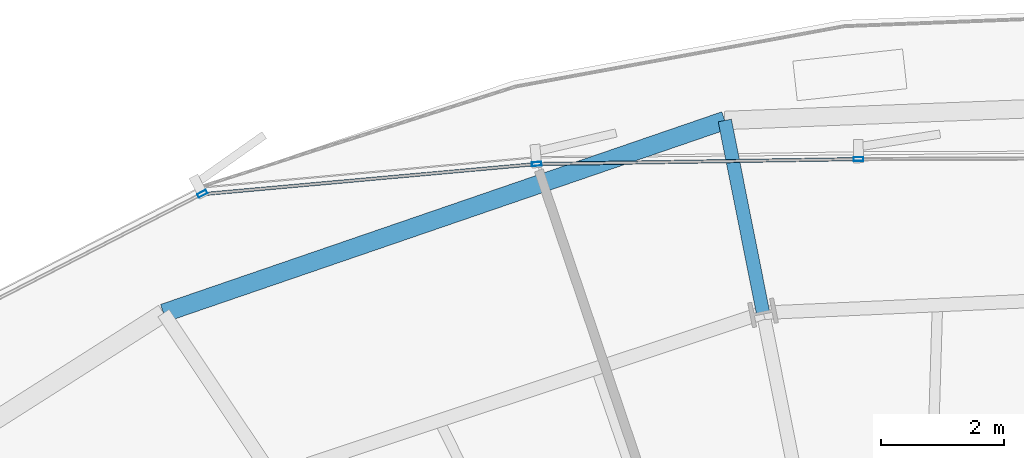
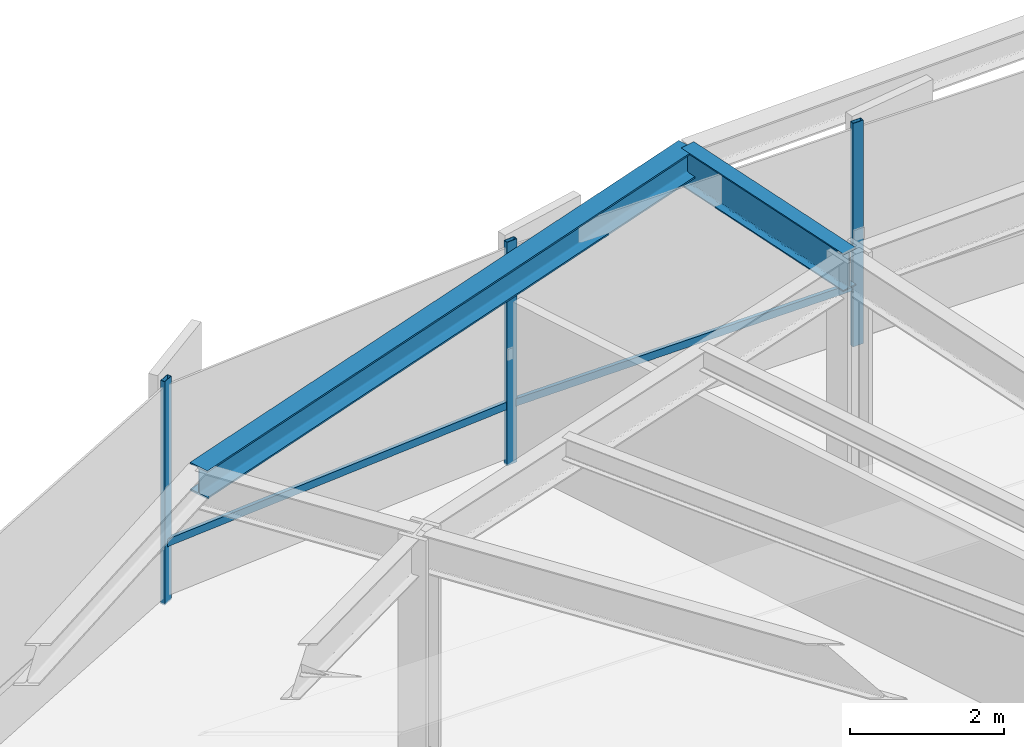
# One storey, part 21 of 37: 5 members, 2 beams, 1 element without a shape of its own.
"""IFC4 building model written with IfcOpenShell, lengths in metres."""

import ifcopenshell
import ifcopenshell.guid

model = None  # the IFC model being written
_history = None  # IfcOwnerHistory: only IFC2X3 demands one
_inside = {}  # id of a spatial element -> (the spatial element, [elements in it])
_under = {}  # id of a project, library or spatial element -> (it, [spatial elements below it])
_declared = {}  # id of a project -> (the project, [libraries it declares])
_typed = {}  # id of a type object -> (the type object, [elements of that type])
_made_of = {}  # id of a material, layer set ... -> (it, [elements and type objects made of it])


def new_model(schema):
    """Start an empty IFC model of exactly this schema.

    Asked for "IFC4X3", IfcOpenShell would pick the latest addendum, in which some entities
    have other attributes; the version numbers below select the first issue.
    IFC2X3 requires an IfcOwnerHistory on every rooted entity: one is made here for all.
    """
    global model, _history
    if schema == "IFC4X3":
        model = ifcopenshell.file(schema_version=(4, 3, 0, 0))
    else:
        model = ifcopenshell.file(schema=schema)
    _inside.clear()
    _under.clear()
    _declared.clear()
    _typed.clear()
    _made_of.clear()
    _history = None
    if model.schema == "IFC2X3":
        org = make("IfcOrganization", Name="unknown")
        user = make(
            "IfcPersonAndOrganization",
            ThePerson=make("IfcPerson", FamilyName="unknown"),
            TheOrganization=org,
        )
        app = make(
            "IfcApplication",
            ApplicationDeveloper=org,
            Version="unknown",
            ApplicationFullName="unknown",
            ApplicationIdentifier="unknown",
        )
        _history = make(
            "IfcOwnerHistory",
            OwningUser=user,
            OwningApplication=app,
            ChangeAction="ADDED",
            CreationDate=0,
        )
    return model


def make(cls, **values):
    """One entity of the class cls with the attributes given. An attribute that is None is left unset."""
    return model.create_entity(
        cls, **{name: value for name, value in values.items() if value is not None}
    )


def rooted(cls, **values):
    """An entity with a GlobalId (a new one), such as an element, a storey or a relation."""
    return make(cls, GlobalId=ifcopenshell.guid.new(), OwnerHistory=_history, **values)


def si_unit(unit_type, name, prefix=None):
    """IfcSIUnit, for example si_unit("LENGTHUNIT", "METRE", prefix="MILLI")."""
    return make("IfcSIUnit", UnitType=unit_type, Prefix=prefix, Name=name)


def assignment(units):
    """IfcUnitAssignment: the units of a project."""
    return None if units is None else make("IfcUnitAssignment", Units=units)


def point(xyz):
    """IfcCartesianPoint."""
    return None if xyz is None else make("IfcCartesianPoint", Coordinates=xyz)


def direction(xyz):
    """IfcDirection."""
    return None if xyz is None else make("IfcDirection", DirectionRatios=xyz)


def frame(location, z_axis=None, x_axis=None):
    """IfcAxis2Placement3D, a coordinate frame: its origin and axes. An axis left out is left unset."""
    return make(
        "IfcAxis2Placement3D",
        Location=point(location),
        Axis=direction(z_axis),
        RefDirection=direction(x_axis),
    )


def frame_2d(location, x_axis=None):
    """IfcAxis2Placement2D, a coordinate frame in the plane: its origin and x axis."""
    return make(
        "IfcAxis2Placement2D", Location=point(location), RefDirection=direction(x_axis)
    )


def origin():
    """The frame at (0, 0, 0) with its axes left unset."""
    return frame((0.0, 0.0, 0.0))


def origin_2d():
    """The frame at (0, 0) in the plane with its x axis left unset."""
    return frame_2d((0.0, 0.0))


def place(relative_to, where):
    """IfcLocalPlacement: puts the frame where relative to a parent placement (None: the world)."""
    return make(
        "IfcLocalPlacement", PlacementRelTo=relative_to, RelativePlacement=where
    )


def context(
    kind, dimensions, precision=None, world=None, true_north=None, identifier=None
):
    """IfcGeometricRepresentationContext, for example the 3D "Model" context."""
    return make(
        "IfcGeometricRepresentationContext",
        ContextIdentifier=identifier,
        ContextType=kind,
        CoordinateSpaceDimension=dimensions,
        Precision=precision,
        WorldCoordinateSystem=world,
        TrueNorth=true_north,
    )


def subcontext(parent, identifier, kind, view, scale=None):
    """IfcGeometricRepresentationSubContext, for example "Body" below "Model"."""
    return make(
        "IfcGeometricRepresentationSubContext",
        ContextIdentifier=identifier,
        ContextType=kind,
        ParentContext=parent,
        TargetScale=scale,
        TargetView=view,
    )


def project(units=None, contexts=None):
    """IfcProject with its units and contexts."""
    return rooted(
        "IfcProject",
        Name="project",
        RepresentationContexts=contexts,
        UnitsInContext=assignment(units),
    )


def spatial(cls, under=None, at=None, **own):
    """A site, building, storey or space (cls), placed at a placement, below another one or the project."""
    s = rooted(cls, ObjectPlacement=at, **own)
    if under is not None:
        _under.setdefault(under.id(), (under, []))[1].append(s)
    return s


def profile(cls, at=None, kind="AREA", **sizes):
    """A parametric profile (cls). Its sizes go by their IFC names, for example OverallWidth=200.0."""
    return make(cls, ProfileType=kind, Position=at, **sizes)


def hollow_rectangle(**sizes):
    """IfcRectangleHollowProfileDef."""
    return profile("IfcRectangleHollowProfileDef", **sizes)


def i_section(**sizes):
    """IfcIShapeProfileDef."""
    return profile("IfcIShapeProfileDef", **sizes)


def extrude(swept, where, along, depth):
    """IfcExtrudedAreaSolid: the profile swept, set in the frame where, extruded along a direction by depth."""
    return make(
        "IfcExtrudedAreaSolid",
        SweptArea=swept,
        Position=where,
        ExtrudedDirection=direction(along),
        Depth=depth,
    )


def shape(context_of_items, identifier, shape_type, items):
    """IfcShapeRepresentation: the items that make up one representation, for example the "Body"."""
    return make(
        "IfcShapeRepresentation",
        ContextOfItems=context_of_items,
        RepresentationIdentifier=identifier,
        RepresentationType=shape_type,
        Items=items,
    )


def source(mapping_origin, context_of_items, identifier, shape_type, items):
    """IfcRepresentationMap: a shape defined once, which mapped items show again and again."""
    return make(
        "IfcRepresentationMap",
        MappingOrigin=mapping_origin,
        MappedRepresentation=shape(context_of_items, identifier, shape_type, items),
    )


def transform(
    local_origin,
    x_axis=None,
    y_axis=None,
    z_axis=None,
    scale=None,
    scale2=None,
    scale3=None,
    uniform=True,
):
    """IfcCartesianTransformationOperator3D, or its non-uniform kind. x_axis, y_axis, z_axis: its Axis1, 2, 3."""
    if uniform:
        return make(
            "IfcCartesianTransformationOperator3D",
            Axis1=direction(x_axis),
            Axis2=direction(y_axis),
            LocalOrigin=point(local_origin),
            Scale=scale,
            Axis3=direction(z_axis),
        )
    return make(
        "IfcCartesianTransformationOperator3DnonUniform",
        Axis1=direction(x_axis),
        Axis2=direction(y_axis),
        LocalOrigin=point(local_origin),
        Scale=scale,
        Axis3=direction(z_axis),
        Scale2=scale2,
        Scale3=scale3,
    )


def mapped(mapping_source, mapping_target):
    """IfcMappedItem: shows the shape of a source again, moved by a transform."""
    return make(
        "IfcMappedItem", MappingSource=mapping_source, MappingTarget=mapping_target
    )


def material(Name=None, Category=None):
    """IfcMaterial."""
    return make("IfcMaterial", Name=Name, Category=Category)


def layer(
    of_material, thickness, ventilated=None, Name=None, Category=None, Priority=None
):
    """IfcMaterialLayer: one layer of a wall or slab, of a material (None: an air gap)."""
    return make(
        "IfcMaterialLayer",
        Material=of_material,
        LayerThickness=thickness,
        IsVentilated=ventilated,
        Name=Name,
        Category=Category,
        Priority=Priority,
    )


def layer_set(layers, Name=None):
    """IfcMaterialLayerSet."""
    return make("IfcMaterialLayerSet", MaterialLayers=layers, LayerSetName=Name)


def material_profile(
    of_material, cross_section, Name=None, Category=None, Priority=None
):
    """IfcMaterialProfile: a cross section and its material."""
    return make(
        "IfcMaterialProfile",
        Name=Name,
        Material=of_material,
        Profile=cross_section,
        Priority=Priority,
        Category=Category,
    )


def profile_set(profiles, Name=None, composite=None):
    """IfcMaterialProfileSet."""
    return make(
        "IfcMaterialProfileSet",
        Name=Name,
        MaterialProfiles=profiles,
        CompositeProfile=composite,
    )


def made_of(thing, what):
    """Note that an element or type object is made of a material, layer set ...; save() writes the relation."""
    if what is not None:
        _made_of.setdefault(what.id(), (what, []))[1].append(thing)
    return thing


def type_object(cls, material=None, **own):
    """A type object (cls), such as IfcWallType, which elements share."""
    return made_of(rooted(cls, **own), material)


def element(
    cls,
    number,
    at=None,
    inside=None,
    cuts=None,
    type_object=None,
    material=None,
    context=None,
    identifier="Body",
    shape_type=None,
    held_by="IfcProductDefinitionShape",
    body=None,
    shapes=None,
    **own,
):
    """One element of the class cls, such as IfcWall. Its Tag is "e" and its number.

    at: its placement. inside: the storey or other place that contains it. cuts: it is an
    opening in that element (IfcRelVoidsElement). A single representation is given by context,
    identifier, shape_type and body (its items); several are given by shapes. held_by: the class
    of the entity that holds the representations. save() writes the other relations.
    """
    e = rooted(cls, Tag="e%d" % number, ObjectPlacement=at, **own)
    if body is not None:
        shapes = [shape(context, identifier, shape_type, body)]
    if shapes is not None:
        e.Representation = make(held_by, Representations=shapes)
    if inside is not None:
        _inside.setdefault(inside.id(), (inside, []))[1].append(e)
    if cuts is not None:
        rooted(
            "IfcRelVoidsElement", RelatingBuildingElement=cuts, RelatedOpeningElement=e
        )
    if type_object is not None:
        _typed.setdefault(type_object.id(), (type_object, []))[1].append(e)
    return made_of(e, material)


def aggregate(whole, parts):
    """IfcRelAggregates: a whole, such as a stair, and the parts it consists of."""
    return rooted("IfcRelAggregates", RelatingObject=whole, RelatedObjects=parts)


def save(model, path):
    """Write the relations noted so far, then the file.

    IfcRelAggregates (storeys below a building ...), IfcRelContainedInSpatialStructure (elements
    in a storey), IfcRelDefinesByType, IfcRelAssociatesMaterial and IfcRelDeclares: one each for
    every whole, place, type object, material and project.
    """
    for whole, parts in _under.values():
        aggregate(whole, parts)
    for where, things in _inside.values():
        rooted(
            "IfcRelContainedInSpatialStructure",
            RelatedElements=things,
            RelatingStructure=where,
        )
    for kind, things in _typed.values():
        rooted("IfcRelDefinesByType", RelatedObjects=things, RelatingType=kind)
    for what, things in _made_of.values():
        rooted("IfcRelAssociatesMaterial", RelatedObjects=things, RelatingMaterial=what)
    for by, libraries in _declared.values():
        rooted("IfcRelDeclares", RelatingContext=by, RelatedDefinitions=libraries)
    model.write(path)


model = new_model("IFC4")

# Units and contexts
model_context = context("Model", 3, precision=1e-05, world=origin(), true_north=direction((0.0, 1.0)))
body_context = subcontext(model_context, "Body", "Model", "MODEL_VIEW")
ifc_project = project(units=[si_unit("LENGTHUNIT", "METRE"), si_unit("AREAUNIT", "SQUARE_METRE"), si_unit("VOLUMEUNIT", "CUBIC_METRE"), si_unit("PLANEANGLEUNIT", "RADIAN"), si_unit("MASSUNIT", "GRAM", prefix="KILO"), si_unit("THERMODYNAMICTEMPERATUREUNIT", "KELVIN")], contexts=[model_context])

# Site, building, storey
site_placement = place(None, origin())
site = spatial("IfcSite", under=ifc_project, at=site_placement, CompositionType="ELEMENT")
building_placement = place(site_placement, origin())
building = spatial("IfcBuilding", under=site, at=building_placement, Name="Kethvar Cultural Tower", CompositionType="ELEMENT")
storey_placement = place(building_placement, frame((0.0, 0.0, 56.199951171875)))
storey = spatial("IfcBuildingStorey", under=building, at=storey_placement, Name="L13", CompositionType="ELEMENT", Elevation=56.199951171875)

# Beams
ifc_material_1 = material(Name="Steel S355J2", Category="steel")
ifc_material_profile_1 = material_profile(ifc_material_1, i_section(OverallWidth=0.219970703125, OverallDepth=0.60009765625, WebThickness=0.011962890625, FlangeThickness=0.01904296875, FilletRadius=0.02392578125, at=origin_2d()), Name="Steel S355J2 — IPE600")
ifc_profile_set_1 = profile_set([ifc_material_profile_1], Name="Steel S355J2 — IPE600")
beam_type_1 = type_object("IfcBeamType", Name="BM-IPE600", PredefinedType="BEAM", material=ifc_profile_set_1)
shared_shape_1 = source(origin(), body_context, "Body", "SweptSolid", [
    extrude(i_section(OverallWidth=0.219970703125, OverallDepth=0.60009765625, WebThickness=0.011962890625, FlangeThickness=0.01904296875, FilletRadius=0.02392578125, at=origin_2d()), origin(), (0.0, 0.0, 1.0), 3.199951171875),
])
beam_1_placement = place(storey_placement, frame((42.651611328125, 48.65576171875, 3.248046875), z_axis=(-0.195162356126, 0.980770949178, 0.0), x_axis=(-0.980770949178, -0.195162356126, 0.0)))
element("IfcBeam", 1, at=beam_1_placement, inside=storey, type_object=beam_type_1, Name="L13 Perimeter Cantilever Beam RC-05", PredefinedType="BEAM", context=body_context, shape_type="MappedRepresentation", body=[
    mapped(shared_shape_1, transform((0.0, 0.0, 0.0), scale=1.0)),
])
ifc_material_profile_2 = material_profile(ifc_material_1, i_section(OverallWidth=0.300048828125, OverallDepth=0.449951171875, WebThickness=0.013916015625, FlangeThickness=0.02587890625, FilletRadius=0.027099609375, at=origin_2d()), Name="Steel S355J2 — HEB450")
ifc_profile_set_2 = profile_set([ifc_material_profile_2], Name="Steel S355J2 — HEB450")
beam_type_2 = type_object("IfcBeamType", Name="BM-SP450", PredefinedType="SPANDREL", material=ifc_profile_set_2)
shared_shape_2 = source(origin(), body_context, "Body", "SweptSolid", [
    extrude(i_section(OverallWidth=0.300048828125, OverallDepth=0.449951171875, WebThickness=0.013916015625, FlangeThickness=0.02587890625, FilletRadius=0.027099609375, at=origin_2d()), origin(), (0.0, 0.0, 1.0), 9.683349609375),
])
beam_2_placement = place(storey_placement, frame((42.027099609375, 51.794189453125, 3.322998046875), z_axis=(-0.945832074112, -0.324656260652, 0.0), x_axis=(0.324656260652, -0.945832074112, 0.0)))
element("IfcBeam", 2, at=beam_2_placement, inside=storey, type_object=beam_type_2, Name="L13 Perimeter Spandrel Beam SP-05", PredefinedType="SPANDREL", context=body_context, shape_type="MappedRepresentation", body=[
    mapped(shared_shape_2, transform((0.0, 0.0, 0.0), scale=1.0)),
])

# Curtain wall, members
ifc_material_2 = material(Name="Aluminium 6063-T6", Category="aluminium")
ifc_layer = layer(ifc_material_2, 0.179931640625, Name="Aluminium 6063-T6", Category="aluminium")
ifc_layer_set = layer_set([ifc_layer], Name="Aluminium 6063-T6 (180 mm)")
curtain_wall_type = type_object("IfcCurtainWallType", Name="CW-SYS-02-Z1", PredefinedType="NOTDEFINED", material=ifc_layer_set)
curtain_wall_placement = place(storey_placement, origin())
curtain_wall = element("IfcCurtainWall", 3, at=curtain_wall_placement, inside=storey, type_object=curtain_wall_type, Name="L13 Curtain Wall Run 03", PredefinedType="NOTDEFINED")
ifc_material_profile_3 = material_profile(ifc_material_2, hollow_rectangle(XDim=0.06494140625, YDim=0.159912109375, WallThickness=0.0048828125, at=origin_2d()), Name="Aluminium 6063-T6 — RHS160x65x5")
ifc_profile_set_3 = profile_set([ifc_material_profile_3], Name="Aluminium 6063-T6 — RHS160x65x5")
member_type_1 = type_object("IfcMemberType", Name="CW-SYS-02-Z1-MUL", PredefinedType="MULLION", material=ifc_profile_set_3)
shared_shape_3 = source(origin(), body_context, "Body", "SweptSolid", [
    extrude(hollow_rectangle(XDim=0.06494140625, YDim=0.159912109375, WallThickness=0.0048828125, at=origin_2d()), origin(), (0.0, 0.0, 1.0), 3.550048828125),
])
member_1_placement = place(storey_placement, frame((44.209228515625, 51.163818359375, 0.0), z_axis=(0.0, 0.0, 1.0), x_axis=(0.015305939852, -0.999882857241, 0.0)))
member_1 = element("IfcMember", 4, at=member_1_placement, type_object=member_type_1, Name="CW-L13-R03 Mullion 2", PredefinedType="MULLION", context=body_context, shape_type="MappedRepresentation", body=[
    mapped(shared_shape_3, transform((0.0, 0.0, 0.0), scale=1.0)),
])
member_2_placement = place(storey_placement, frame((38.95703125, 51.083984375, 0.0), z_axis=(0.0, 0.0, 1.0), x_axis=(0.090024212165, -0.995939577095, 0.0)))
member_2 = element("IfcMember", 5, at=member_2_placement, type_object=member_type_1, Name="CW-L13-R03 Mullion 3", PredefinedType="MULLION", context=body_context, shape_type="MappedRepresentation", body=[
    mapped(shared_shape_3, transform((0.0, 0.0, 0.0), scale=1.0)),
])
member_3_placement = place(storey_placement, frame((33.501220703125, 50.599609375, 0.0), z_axis=(0.0, 0.0, 1.0), x_axis=(0.457408364087, -0.889256761832, 0.0)))
member_3 = element("IfcMember", 6, at=member_3_placement, type_object=member_type_1, Name="CW-L13-R03 Mullion 4", PredefinedType="MULLION", context=body_context, shape_type="MappedRepresentation", body=[
    mapped(shared_shape_3, transform((0.0, 0.0, 0.0), scale=1.0)),
])
ifc_material_profile_4 = material_profile(ifc_material_2, hollow_rectangle(XDim=0.054931640625, YDim=0.1201171875, WallThickness=0.00390625, at=origin_2d()), Name="Aluminium 6063-T6 — RHS120x55x4")
ifc_profile_set_4 = profile_set([ifc_material_profile_4], Name="Aluminium 6063-T6 — RHS120x55x4")
member_type_2 = type_object("IfcMemberType", Name="CW-SYS-02-Z1-TRN", PredefinedType="USERDEFINED", material=ifc_profile_set_4)
shared_shape_4 = source(origin(), body_context, "Body", "SweptSolid", [
    extrude(hollow_rectangle(XDim=0.054931640625, YDim=0.1201171875, WallThickness=0.00390625, at=origin_2d()), origin(), (0.0, 0.0, 1.0), 5.16796875),
])
member_4_placement = place(storey_placement, frame((44.162353515625, 51.1630859375, 0.949951171875), z_axis=(-0.999882859756, -0.01530577561, 0.0), x_axis=(0.01530577561, -0.999882859756, 0.0)))
member_4 = element("IfcMember", 7, at=member_4_placement, type_object=member_type_2, Name="CW-L13-R03 Transom 2", ObjectType="TRANSOM", PredefinedType="USERDEFINED", context=body_context, shape_type="MappedRepresentation", body=[
    mapped(shared_shape_4, transform((0.0, 0.0, 0.0), scale=1.0)),
])
shared_shape_5 = source(origin(), body_context, "Body", "SweptSolid", [
    extrude(hollow_rectangle(XDim=0.054931640625, YDim=0.1201171875, WallThickness=0.00390625, at=origin_2d()), origin(), (0.0, 0.0, 1.0), 5.428466796875),
])
member_5_placement = place(storey_placement, frame((38.910400390625, 51.07958984375, 0.949951171875), z_axis=(-0.995942455569, -0.089992361869, 0.0), x_axis=(0.089992361869, -0.995942455569, 0.0)))
member_5 = element("IfcMember", 8, at=member_5_placement, type_object=member_type_2, Name="CW-L13-R03 Transom 3", ObjectType="TRANSOM", PredefinedType="USERDEFINED", context=body_context, shape_type="MappedRepresentation", body=[
    mapped(shared_shape_5, transform((0.0, 0.0, 0.0), scale=1.0)),
])
aggregate(curtain_wall, [member_1, member_2, member_3, member_4, member_5])

save(model, "model.ifc")
